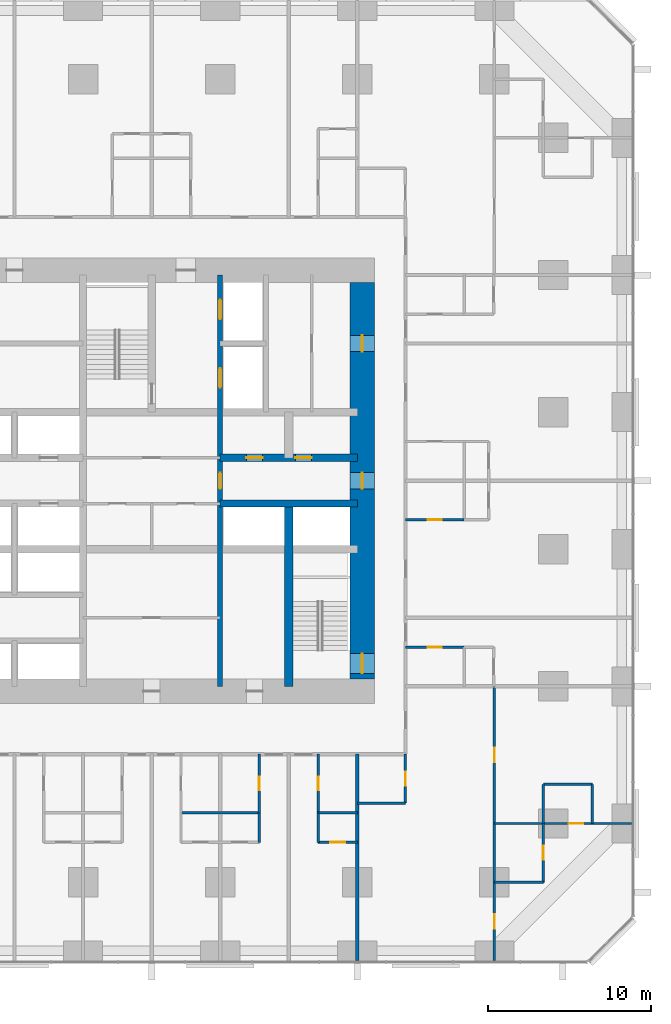
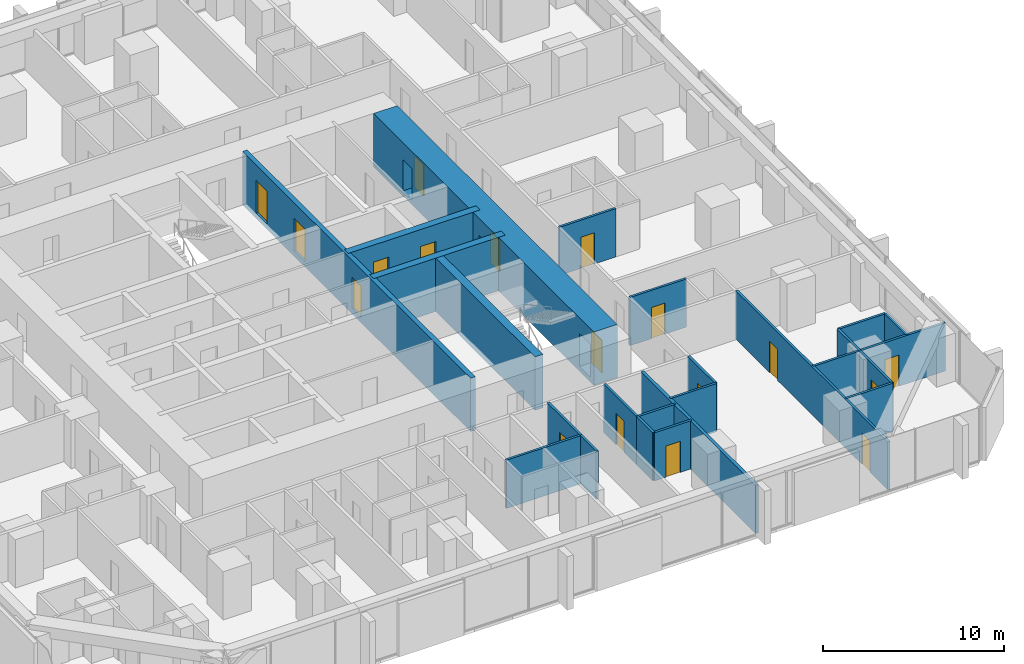
# One storey, part 13 of 17: 24 walls, 18 doors, 18 openings.
"""IFC4 building model written with IfcOpenShell, lengths in metres."""

from ifc_helpers import new_model, si_unit, direction, frame, frame_2d, origin, place, context, subcontext, project, spatial, rectangle, extrude, material, layer, layer_set, type_object, element, fill, save


model = new_model("IFC4")

# Units and contexts
model_context = context("Model", 3, precision=1e-05, world=origin(), true_north=direction((0.0, 1.0)))
body_context = subcontext(model_context, "Body", "Model", "MODEL_VIEW")
ifc_project = project(units=[si_unit("LENGTHUNIT", "METRE"), si_unit("AREAUNIT", "SQUARE_METRE"), si_unit("VOLUMEUNIT", "CUBIC_METRE"), si_unit("PLANEANGLEUNIT", "RADIAN"), si_unit("MASSUNIT", "GRAM", prefix="KILO")], contexts=[model_context])

# Site, building, storey
site_placement = place(None, origin())
site = spatial("IfcSite", under=ifc_project, at=site_placement, CompositionType="ELEMENT")
building_placement = place(site_placement, origin())
building = spatial("IfcBuilding", under=site, at=building_placement, Name="Dunama Terrace Hotel", CompositionType="ELEMENT")
storey_placement = place(building_placement, frame((0.0, 0.0, 73.800048828125)))
storey = spatial("IfcBuildingStorey", under=building, at=storey_placement, Name="L18", CompositionType="ELEMENT", Elevation=73.800048828125)

# Wall, opening, door
ifc_material_1 = material(Name="Gypsum board partition", Category="masonry")
ifc_layer_1 = layer(ifc_material_1, 0.14990234375)
ifc_layer_set_1 = layer_set([ifc_layer_1], Name="Bathroom partition 150")
wall_type_1 = type_object("IfcWallType", Name="Bathroom partition 150", PredefinedType="PARTITIONING", material=ifc_layer_set_1)
wall_1_placement = place(storey_placement, frame((36.0, 9.050048828125, 0.0), z_axis=(0.0, 0.0, 1.0), x_axis=(0.0, 1.0, 0.0)))
wall_1 = element("IfcWall", 1, at=wall_1_placement, inside=storey, type_object=wall_type_1, Name="Bathroom partition 150 L18", PredefinedType="PARTITIONING", context=body_context, shape_type="SweptSolid", body=[
    extrude(rectangle(XDim=3.599853515625, YDim=0.14990234375, at=frame_2d((1.7998046875, 0.0))), origin(), (0.0, 0.0, 1.0), 3.25),
])
opening_1_placement = place(wall_1_placement, frame((1.375, 0.0, 0.0)))
opening_1 = element("IfcOpeningElement", 2, at=opening_1_placement, cuts=wall_1, Name="Opening L17-19-022", PredefinedType="OPENING", context=body_context, shape_type="SweptSolid", body=[
    extrude(rectangle(XDim=0.85009765625, YDim=2.10009765625, at=frame_2d((0.425048828125, 1.050048828125))), frame((0.0, 0.0849609375, 0.0), z_axis=(0.0, -1.0, 0.0), x_axis=(1.0, 0.0, 0.0)), (0.0, 0.0, 1.0), 0.169921875),
])
ifc_material_2 = material(Name="Timber door with steel frame", Category="steel")
door_type_1 = type_object("IfcDoorType", Name="Bathroom door 850", OperationType="SINGLE_SWING_LEFT", PredefinedType="DOOR", material=ifc_material_2)
door_1_placement = place(opening_1_placement, origin())
door_1 = element("IfcDoor", 3, at=door_1_placement, inside=storey, type_object=door_type_1, Name="Door to en-suite bathroom L17-19-022, type D2", OperationType="SINGLE_SWING_RIGHT", OverallHeight=2.10009765625, OverallWidth=0.85009765625, PredefinedType="DOOR", context=body_context, shape_type="SweptSolid", body=[
    extrude(rectangle(XDim=0.85009765625, YDim=2.10009765625, at=frame_2d((0.425048828125, 1.050048828125))), frame((0.0, 0.02490234375, 0.0), z_axis=(0.0, -1.0, 0.0), x_axis=(1.0, 0.0, 0.0)), (0.0, 0.0, 1.0), 0.050048828125),
])
fill(opening_1, door_1)

wall_2_placement = place(storey_placement, frame((39.60009765625, 9.050048828125, 0.0), z_axis=(0.0, 0.0, 1.0), x_axis=(0.0, 1.0, 0.0)))
wall_2 = element("IfcWall", 4, at=wall_2_placement, inside=storey, type_object=wall_type_1, Name="Bathroom partition 150 L18", PredefinedType="PARTITIONING", context=body_context, shape_type="SweptSolid", body=[
    extrude(rectangle(XDim=3.599853515625, YDim=0.14990234375, at=frame_2d((1.7998046875, 0.0))), origin(), (0.0, 0.0, 1.0), 3.25),
])
opening_2_placement = place(wall_2_placement, frame((1.375, 0.0, 0.0)))
opening_2 = element("IfcOpeningElement", 5, at=opening_2_placement, cuts=wall_2, Name="Opening L17-19-025", PredefinedType="OPENING", context=body_context, shape_type="SweptSolid", body=[
    extrude(rectangle(XDim=0.85009765625, YDim=2.10009765625, at=frame_2d((0.425048828125, 1.050048828125))), frame((0.0, 0.0849609375, 0.0), z_axis=(0.0, -1.0, 0.0), x_axis=(1.0, 0.0, 0.0)), (0.0, 0.0, 1.0), 0.169921875),
])
door_2_placement = place(opening_2_placement, frame((0.85009765625, 0.0, 0.0), z_axis=(0.0, 0.0, 1.0), x_axis=(-1.0, 0.0, 0.0)))
door_2 = element("IfcDoor", 6, at=door_2_placement, inside=storey, type_object=door_type_1, Name="Door to en-suite bathroom L17-19-025, type D2", OperationType="SINGLE_SWING_LEFT", OverallHeight=2.10009765625, OverallWidth=0.85009765625, PredefinedType="DOOR", context=body_context, shape_type="SweptSolid", body=[
    extrude(rectangle(XDim=0.85009765625, YDim=2.10009765625, at=frame_2d((0.425048828125, 1.050048828125))), frame((0.0, 0.025146484375, 0.0), z_axis=(0.0, -1.0, 0.0), x_axis=(1.0, 0.0, 0.0)), (0.0, 0.0, 1.0), 0.050048828125),
])
fill(opening_2, door_2)

wall_3_placement = place(storey_placement, frame((44.949951171875, 9.64990234375, 0.0), z_axis=(0.0, 0.0, 1.0), x_axis=(0.0, 1.0, 0.0)))
wall_3 = element("IfcWall", 7, at=wall_3_placement, inside=storey, type_object=wall_type_1, Name="Bathroom partition 150 L18", PredefinedType="PARTITIONING", context=body_context, shape_type="SweptSolid", body=[
    extrude(rectangle(XDim=3.0, YDim=0.14990234375, at=frame_2d((1.5, 0.0))), origin(), (0.0, 0.0, 1.0), 3.25),
])
opening_3_placement = place(wall_3_placement, frame((1.074951171875, 0.0, 0.0)))
opening_3 = element("IfcOpeningElement", 8, at=opening_3_placement, cuts=wall_3, Name="Opening L17-19-067", PredefinedType="OPENING", context=body_context, shape_type="SweptSolid", body=[
    extrude(rectangle(XDim=0.85009765625, YDim=2.10009765625, at=frame_2d((0.425048828125, 1.050048828125))), frame((0.0, 0.0849609375, 0.0), z_axis=(0.0, -1.0, 0.0), x_axis=(1.0, 0.0, 0.0)), (0.0, 0.0, 1.0), 0.169921875),
])
door_3_placement = place(opening_3_placement, origin())
door_3 = element("IfcDoor", 9, at=door_3_placement, inside=storey, type_object=door_type_1, Name="Door to powder room L17-19-067, type D2", OperationType="SINGLE_SWING_RIGHT", OverallHeight=2.10009765625, OverallWidth=0.85009765625, PredefinedType="DOOR", context=body_context, shape_type="SweptSolid", body=[
    extrude(rectangle(XDim=0.85009765625, YDim=2.10009765625, at=frame_2d((0.425048828125, 1.050048828125))), frame((0.0, 0.02490234375, 0.0), z_axis=(0.0, -1.0, 0.0), x_axis=(1.0, 0.0, 0.0)), (0.0, 0.0, 1.0), 0.050048828125),
])
fill(opening_3, door_3)

wall_4_placement = place(storey_placement, frame((53.39990234375, 4.800048828125, 0.0), z_axis=(0.0, 0.0, 1.0), x_axis=(0.0, 1.0, 0.0)))
wall_4 = element("IfcWall", 10, at=wall_4_placement, inside=storey, type_object=wall_type_1, Name="Bathroom partition 150 L18", PredefinedType="PARTITIONING", context=body_context, shape_type="SweptSolid", body=[
    extrude(rectangle(XDim=3.599853515625, YDim=0.14990234375, at=frame_2d((1.7998046875, 0.0))), origin(), (0.0, 0.0, 1.0), 3.25),
])
opening_4_placement = place(wall_4_placement, frame((1.375, 0.0, 0.0)))
opening_4 = element("IfcOpeningElement", 11, at=opening_4_placement, cuts=wall_4, Name="Opening L17-19-069", PredefinedType="OPENING", context=body_context, shape_type="SweptSolid", body=[
    extrude(rectangle(XDim=0.85009765625, YDim=2.10009765625, at=frame_2d((0.425048828125, 1.050048828125))), frame((0.0, 0.0849609375, 0.0), z_axis=(0.0, -1.0, 0.0), x_axis=(1.0, 0.0, 0.0)), (0.0, 0.0, 1.0), 0.169921875),
])
door_4_placement = place(opening_4_placement, origin())
door_4 = element("IfcDoor", 12, at=door_4_placement, inside=storey, type_object=door_type_1, Name="Door to en-suite bathroom L17-19-069, type D2", OperationType="SINGLE_SWING_RIGHT", OverallHeight=2.10009765625, OverallWidth=0.85009765625, PredefinedType="DOOR", context=body_context, shape_type="SweptSolid", body=[
    extrude(rectangle(XDim=0.85009765625, YDim=2.10009765625, at=frame_2d((0.425048828125, 1.050048828125))), frame((0.0, 0.02490234375, 0.0), z_axis=(0.0, -1.0, 0.0), x_axis=(1.0, 0.0, 0.0)), (0.0, 0.0, 1.0), 0.050048828125),
])
fill(opening_4, door_4)

# Walls
wall_5_placement = place(storey_placement, frame((50.39990234375, 4.800048828125, 0.0), z_axis=(0.0, 0.0, 1.0), x_axis=(1.0, 0.0, 0.0)))
element("IfcWall", 13, at=wall_5_placement, inside=storey, type_object=wall_type_1, Name="Bathroom partition 150 L18", PredefinedType="PARTITIONING", context=body_context, shape_type="SweptSolid", body=[
    extrude(rectangle(XDim=3.0, YDim=0.14990234375, at=frame_2d((1.5, 0.0))), origin(), (0.0, 0.0, 1.0), 3.25),
])
wall_6_placement = place(storey_placement, frame((42.0, 9.64990234375, 0.0), z_axis=(0.0, 0.0, 1.0), x_axis=(1.0, 0.0, 0.0)))
element("IfcWall", 14, at=wall_6_placement, inside=storey, type_object=wall_type_1, Name="Bathroom partition 150 L18", PredefinedType="PARTITIONING", context=body_context, shape_type="SweptSolid", body=[
    extrude(rectangle(XDim=2.949951171875, YDim=0.14990234375, at=frame_2d((1.47509765625, 0.0))), origin(), (0.0, 0.0, 1.0), 3.25),
])

# Wall, opening, door
wall_7_placement = place(storey_placement, frame((44.949951171875, 19.199951171875, 0.0), z_axis=(0.0, 0.0, 1.0), x_axis=(1.0, 0.0, 0.0)))
wall_7 = element("IfcWall", 15, at=wall_7_placement, inside=storey, type_object=wall_type_1, Name="Bathroom partition 150 L18", PredefinedType="PARTITIONING", context=body_context, shape_type="SweptSolid", body=[
    extrude(rectangle(XDim=3.60009765625, YDim=0.14990234375, at=frame_2d((1.800048828125, 0.0))), origin(), (0.0, 0.0, 1.0), 3.25),
])
opening_5_placement = place(wall_7_placement, frame((1.375, 0.0, 0.0)))
opening_5 = element("IfcOpeningElement", 16, at=opening_5_placement, cuts=wall_7, Name="Opening L17-19-028", PredefinedType="OPENING", context=body_context, shape_type="SweptSolid", body=[
    extrude(rectangle(XDim=0.85009765625, YDim=2.10009765625, at=frame_2d((0.425048828125, 1.050048828125))), frame((0.0, 0.0849609375, 0.0), z_axis=(0.0, -1.0, 0.0), x_axis=(1.0, 0.0, 0.0)), (0.0, 0.0, 1.0), 0.169921875),
])
door_5_placement = place(opening_5_placement, frame((0.85009765625, 0.0, 0.0), z_axis=(0.0, 0.0, 1.0), x_axis=(-1.0, 0.0, 0.0)))
door_5 = element("IfcDoor", 17, at=door_5_placement, inside=storey, type_object=door_type_1, Name="Door to en-suite bathroom L17-19-028, type D2", OperationType="SINGLE_SWING_RIGHT", OverallHeight=2.10009765625, OverallWidth=0.85009765625, PredefinedType="DOOR", context=body_context, shape_type="SweptSolid", body=[
    extrude(rectangle(XDim=0.85009765625, YDim=2.10009765625, at=frame_2d((0.425048828125, 1.050048828125))), frame((0.0, 0.025146484375, 0.0), z_axis=(0.0, -1.0, 0.0), x_axis=(1.0, 0.0, 0.0)), (0.0, 0.0, 1.0), 0.050048828125),
])
fill(opening_5, door_5)

wall_8_placement = place(storey_placement, frame((44.949951171875, 27.0, 0.0), z_axis=(0.0, 0.0, 1.0), x_axis=(1.0, 0.0, 0.0)))
wall_8 = element("IfcWall", 18, at=wall_8_placement, inside=storey, type_object=wall_type_1, Name="Bathroom partition 150 L18", PredefinedType="PARTITIONING", context=body_context, shape_type="SweptSolid", body=[
    extrude(rectangle(XDim=3.60009765625, YDim=0.14990234375, at=frame_2d((1.800048828125, 0.0))), origin(), (0.0, 0.0, 1.0), 3.25),
])
opening_6_placement = place(wall_8_placement, frame((1.375, 0.0, 0.0)))
opening_6 = element("IfcOpeningElement", 19, at=opening_6_placement, cuts=wall_8, Name="Opening L17-19-031", PredefinedType="OPENING", context=body_context, shape_type="SweptSolid", body=[
    extrude(rectangle(XDim=0.85009765625, YDim=2.10009765625, at=frame_2d((0.425048828125, 1.050048828125))), frame((0.0, 0.0849609375, 0.0), z_axis=(0.0, -1.0, 0.0), x_axis=(1.0, 0.0, 0.0)), (0.0, 0.0, 1.0), 0.169921875),
])
door_6_placement = place(opening_6_placement, origin())
door_6 = element("IfcDoor", 20, at=door_6_placement, inside=storey, type_object=door_type_1, Name="Door to en-suite bathroom L17-19-031, type D2", OperationType="SINGLE_SWING_LEFT", OverallHeight=2.10009765625, OverallWidth=0.85009765625, PredefinedType="DOOR", context=body_context, shape_type="SweptSolid", body=[
    extrude(rectangle(XDim=0.85009765625, YDim=2.10009765625, at=frame_2d((0.425048828125, 1.050048828125))), frame((0.0, 0.02490234375, 0.0), z_axis=(0.0, -1.0, 0.0), x_axis=(1.0, 0.0, 0.0)), (0.0, 0.0, 1.0), 0.050048828125),
])
fill(opening_6, door_6)

# Wall, openings, doors
ifc_material_3 = material(Name="Concrete C50/60", Category="concrete")
ifc_layer_2 = layer(ifc_material_3, 0.300048828125)
ifc_layer_set_2 = layer_set([ifc_layer_2], Name="Core inner wall 300")
wall_type_2 = type_object("IfcWallType", Name="Core inner wall 300", PredefinedType="SHEAR", material=ifc_layer_set_2)
wall_9_placement = place(storey_placement, frame((33.60009765625, 16.800048828125, -0.35009765625), z_axis=(0.0, 0.0, 1.0), x_axis=(0.0, 1.0, 0.0)))
wall_9 = element("IfcWall", 21, at=wall_9_placement, inside=storey, type_object=wall_type_2, Name="Core inner wall 300 L18", PredefinedType="SHEAR", context=body_context, shape_type="SweptSolid", body=[
    extrude(rectangle(XDim=25.199951171875, YDim=0.300048828125, at=frame_2d((12.60009765625, 0.0))), origin(), (0.0, 0.0, 1.0), 3.60009765625),
])
opening_7_placement = place(wall_9_placement, frame((22.5, 0.0, 0.35009765625)))
opening_7 = element("IfcOpeningElement", 22, at=opening_7_placement, cuts=wall_9, Name="Opening L17-19-007", PredefinedType="OPENING", context=body_context, shape_type="SweptSolid", body=[
    extrude(rectangle(XDim=1.199951171875, YDim=2.199951171875, at=frame_2d((0.60009765625, 1.10009765625))), frame((0.0, 0.159912109375, 0.0), z_axis=(0.0, -1.0, 0.0), x_axis=(1.0, 0.0, 0.0)), (0.0, 0.0, 1.0), 0.320068359375),
])
opening_8_placement = place(wall_9_placement, frame((18.300048828125, 0.0, 0.35009765625)))
opening_8 = element("IfcOpeningElement", 23, at=opening_8_placement, cuts=wall_9, Name="Opening L17-19-008", PredefinedType="OPENING", context=body_context, shape_type="SweptSolid", body=[
    extrude(rectangle(XDim=1.199951171875, YDim=2.199951171875, at=frame_2d((0.60009765625, 1.10009765625))), frame((0.0, 0.159912109375, 0.0), z_axis=(0.0, -1.0, 0.0), x_axis=(1.0, 0.0, 0.0)), (0.0, 0.0, 1.0), 0.320068359375),
])
opening_9_placement = place(wall_9_placement, frame((12.10009765625, 0.0, 0.35009765625)))
opening_9 = element("IfcOpeningElement", 24, at=opening_9_placement, cuts=wall_9, Name="Opening L17-19-088", PredefinedType="OPENING", context=body_context, shape_type="SweptSolid", body=[
    extrude(rectangle(XDim=1.0, YDim=2.10009765625, at=frame_2d((0.5, 1.050048828125))), frame((0.0, 0.159912109375, 0.0), z_axis=(0.0, -1.0, 0.0), x_axis=(1.0, 0.0, 0.0)), (0.0, 0.0, 1.0), 0.320068359375),
])
ifc_material_4 = material(Name="Stainless steel lift door", Category="steel")
door_type_2 = type_object("IfcDoorType", Name="Firefighting lift landing door 1200", OperationType="DOUBLE_DOOR_SLIDING", PredefinedType="DOOR", material=ifc_material_4)
door_7_placement = place(opening_7_placement, origin())
door_7 = element("IfcDoor", 25, at=door_7_placement, inside=storey, type_object=door_type_2, Name="Landing door FL1 L17-19-007, type LD2", OperationType="DOUBLE_DOOR_SLIDING", OverallHeight=2.199951171875, OverallWidth=1.199951171875, PredefinedType="DOOR", context=body_context, shape_type="SweptSolid", body=[
    extrude(rectangle(XDim=1.199951171875, YDim=2.199951171875, at=frame_2d((0.60009765625, 1.10009765625))), frame((0.0, 0.02490234375, 0.0), z_axis=(0.0, -1.0, 0.0), x_axis=(1.0, 0.0, 0.0)), (0.0, 0.0, 1.0), 0.050048828125),
])
fill(opening_7, door_7)
door_8_placement = place(opening_8_placement, origin())
door_8 = element("IfcDoor", 26, at=door_8_placement, inside=storey, type_object=door_type_2, Name="Landing door FL2 L17-19-008, type LD2", OperationType="DOUBLE_DOOR_SLIDING", OverallHeight=2.199951171875, OverallWidth=1.199951171875, PredefinedType="DOOR", context=body_context, shape_type="SweptSolid", body=[
    extrude(rectangle(XDim=1.199951171875, YDim=2.199951171875, at=frame_2d((0.60009765625, 1.10009765625))), frame((0.0, 0.02490234375, 0.0), z_axis=(0.0, -1.0, 0.0), x_axis=(1.0, 0.0, 0.0)), (0.0, 0.0, 1.0), 0.050048828125),
])
fill(opening_8, door_8)
ifc_material_5 = material(Name="Timber door with steel frame", Category="steel")
door_type_3 = type_object("IfcDoorType", Name="Service door 1000", OperationType="SINGLE_SWING_LEFT", PredefinedType="DOOR", material=ifc_material_5)
door_9_placement = place(opening_9_placement, origin())
door_9 = element("IfcDoor", 27, at=door_9_placement, inside=storey, type_object=door_type_3, Name="Door to staff passage L17-19-088, type D7", OperationType="SINGLE_SWING_LEFT", OverallHeight=2.10009765625, OverallWidth=1.0, PredefinedType="DOOR", context=body_context, shape_type="SweptSolid", body=[
    extrude(rectangle(XDim=1.0, YDim=2.10009765625, at=frame_2d((0.5, 1.050048828125))), frame((0.0, 0.02490234375, 0.0), z_axis=(0.0, -1.0, 0.0), x_axis=(1.0, 0.0, 0.0)), (0.0, 0.0, 1.0), 0.050048828125),
])
fill(opening_9, door_9)

# Wall
ifc_material_6 = material(Name="Concrete C50/60", Category="concrete")
ifc_layer_3 = layer(ifc_material_6, 0.449951171875)
ifc_layer_set_3 = layer_set([ifc_layer_3], Name="Core inner wall 450")
wall_type_3 = type_object("IfcWallType", Name="Core inner wall 450", PredefinedType="SHEAR", material=ifc_layer_set_3)
wall_10_placement = place(storey_placement, frame((33.60009765625, 28.0, -0.35009765625), z_axis=(0.0, 0.0, 1.0), x_axis=(1.0, 0.0, 0.0)))
element("IfcWall", 28, at=wall_10_placement, inside=storey, type_object=wall_type_3, Name="Core inner wall 450 L18", PredefinedType="SHEAR", context=body_context, shape_type="SweptSolid", body=[
    extrude(rectangle(XDim=8.39990234375, YDim=0.449951171875, at=frame_2d((4.199951171875, 0.0))), origin(), (0.0, 0.0, 1.0), 3.60009765625),
])

# Wall, openings, doors
wall_11_placement = place(storey_placement, frame((33.60009765625, 30.800048828125, -0.35009765625), z_axis=(0.0, 0.0, 1.0), x_axis=(1.0, 0.0, 0.0)))
wall_11 = element("IfcWall", 29, at=wall_11_placement, inside=storey, type_object=wall_type_3, Name="Core inner wall 450 L18", PredefinedType="SHEAR", context=body_context, shape_type="SweptSolid", body=[
    extrude(rectangle(XDim=8.39990234375, YDim=0.449951171875, at=frame_2d((4.199951171875, 0.0))), origin(), (0.0, 0.0, 1.0), 3.60009765625),
])
opening_10_placement = place(wall_11_placement, frame((1.60009765625, 0.0, 0.35009765625)))
opening_10 = element("IfcOpeningElement", 30, at=opening_10_placement, cuts=wall_11, Name="Opening L17-19-092", PredefinedType="OPENING", context=body_context, shape_type="SweptSolid", body=[
    extrude(rectangle(XDim=1.0, YDim=2.10009765625, at=frame_2d((0.5, 1.050048828125))), frame((0.0, 0.23486328125, 0.0), z_axis=(0.0, -1.0, 0.0), x_axis=(1.0, 0.0, 0.0)), (0.0, 0.0, 1.0), 0.469970703125),
])
opening_11_placement = place(wall_11_placement, frame((4.60009765625, 0.0, 0.35009765625)))
opening_11 = element("IfcOpeningElement", 31, at=opening_11_placement, cuts=wall_11, Name="Opening L17-19-093", PredefinedType="OPENING", context=body_context, shape_type="SweptSolid", body=[
    extrude(rectangle(XDim=1.0, YDim=2.10009765625, at=frame_2d((0.5, 1.050048828125))), frame((0.0, 0.23486328125, 0.0), z_axis=(0.0, -1.0, 0.0), x_axis=(1.0, 0.0, 0.0)), (0.0, 0.0, 1.0), 0.469970703125),
])
door_10_placement = place(opening_10_placement, origin())
door_10 = element("IfcDoor", 32, at=door_10_placement, inside=storey, type_object=door_type_3, Name="Door to service riser L17-19-092, type D7", OperationType="SINGLE_SWING_RIGHT", OverallHeight=2.10009765625, OverallWidth=1.0, PredefinedType="DOOR", context=body_context, shape_type="SweptSolid", body=[
    extrude(rectangle(XDim=1.0, YDim=2.10009765625, at=frame_2d((0.5, 1.050048828125))), frame((0.0, 0.02490234375, 0.0), z_axis=(0.0, -1.0, 0.0), x_axis=(1.0, 0.0, 0.0)), (0.0, 0.0, 1.0), 0.050048828125),
])
fill(opening_10, door_10)
door_11_placement = place(opening_11_placement, origin())
door_11 = element("IfcDoor", 33, at=door_11_placement, inside=storey, type_object=door_type_3, Name="Door to cleaners store L17-19-093, type D7", OperationType="SINGLE_SWING_LEFT", OverallHeight=2.10009765625, OverallWidth=1.0, PredefinedType="DOOR", context=body_context, shape_type="SweptSolid", body=[
    extrude(rectangle(XDim=1.0, YDim=2.10009765625, at=frame_2d((0.5, 1.050048828125))), frame((0.0, 0.02490234375, 0.0), z_axis=(0.0, -1.0, 0.0), x_axis=(1.0, 0.0, 0.0)), (0.0, 0.0, 1.0), 0.050048828125),
])
fill(opening_11, door_11)

# Wall
ifc_material_7 = material(Name="Concrete C50/60", Category="concrete")
ifc_layer_4 = layer(ifc_material_7, 0.5)
ifc_layer_set_4 = layer_set([ifc_layer_4], Name="Core inner wall 500")
wall_type_4 = type_object("IfcWallType", Name="Core inner wall 500", PredefinedType="SHEAR", material=ifc_layer_set_4)
wall_12_placement = place(storey_placement, frame((37.800048828125, 16.800048828125, -0.35009765625), z_axis=(0.0, 0.0, 1.0), x_axis=(0.0, 1.0, 0.0)))
element("IfcWall", 34, at=wall_12_placement, inside=storey, type_object=wall_type_4, Name="Core inner wall 500 L18", PredefinedType="SHEAR", context=body_context, shape_type="SweptSolid", body=[
    extrude(rectangle(XDim=11.199951171875, YDim=0.5, at=frame_2d((5.60009765625, 0.0))), origin(), (0.0, 0.0, 1.0), 3.60009765625),
])

# Wall, openings, doors
ifc_material_8 = material(Name="Concrete C60/75", Category="concrete")
ifc_layer_5 = layer(ifc_material_8, 1.5)
ifc_layer_set_5 = layer_set([ifc_layer_5], Name="Core wall 1500")
wall_type_5 = type_object("IfcWallType", Name="Core wall 1500", PredefinedType="SHEAR", material=ifc_layer_set_5)
wall_13_placement = place(storey_placement, frame((42.300048828125, 17.25, -0.35009765625), z_axis=(0.0, 0.0, 1.0), x_axis=(0.0, 1.0, 0.0)))
wall_13 = element("IfcWall", 35, at=wall_13_placement, inside=storey, type_object=wall_type_5, Name="Core wall east L18", PredefinedType="SHEAR", context=body_context, shape_type="SweptSolid", body=[
    extrude(rectangle(XDim=24.300048828125, YDim=1.5, at=frame_2d((12.14990234375, 0.0))), origin(), (0.0, 0.0, 1.0), 3.60009765625),
])
opening_12_placement = place(wall_13_placement, frame((0.35009765625, 0.0, 0.35009765625)))
opening_12 = element("IfcOpeningElement", 36, at=opening_12_placement, cuts=wall_13, Name="Opening L17-19-002", PredefinedType="OPENING", context=body_context, shape_type="SweptSolid", body=[
    extrude(rectangle(XDim=1.199951171875, YDim=2.199951171875, at=frame_2d((0.60009765625, 1.10009765625))), frame((0.0, 0.760009765625, 0.0), z_axis=(0.0, -1.0, 0.0), x_axis=(1.0, 0.0, 0.0)), (0.0, 0.0, 1.0), 1.52001953125),
])
opening_13_placement = place(wall_13_placement, frame((11.64990234375, 0.0, 0.35009765625)))
opening_13 = element("IfcOpeningElement", 37, at=opening_13_placement, cuts=wall_13, Name="Opening L17-19-094", PredefinedType="OPENING", context=body_context, shape_type="SweptSolid", body=[
    extrude(rectangle(XDim=1.0, YDim=2.10009765625, at=frame_2d((0.5, 1.050048828125))), frame((0.0, 0.760009765625, 0.0), z_axis=(0.0, -1.0, 0.0), x_axis=(1.0, 0.0, 0.0)), (0.0, 0.0, 1.0), 1.52001953125),
])
opening_14_placement = place(wall_13_placement, frame((20.050048828125, 0.0, 0.35009765625)))
opening_14 = element("IfcOpeningElement", 38, at=opening_14_placement, cuts=wall_13, Name="Opening L17-19-096", PredefinedType="OPENING", context=body_context, shape_type="SweptSolid", body=[
    extrude(rectangle(XDim=1.0, YDim=2.10009765625, at=frame_2d((0.5, 1.050048828125))), frame((0.0, 0.760009765625, 0.0), z_axis=(0.0, -1.0, 0.0), x_axis=(1.0, 0.0, 0.0)), (0.0, 0.0, 1.0), 1.52001953125),
])
door_12_placement = place(opening_13_placement, origin())
door_12 = element("IfcDoor", 39, at=door_12_placement, inside=storey, type_object=door_type_3, Name="Door to service lobby L17-19-094, type D7", OperationType="SINGLE_SWING_LEFT", OverallHeight=2.10009765625, OverallWidth=1.0, PredefinedType="DOOR", context=body_context, shape_type="SweptSolid", body=[
    extrude(rectangle(XDim=1.0, YDim=2.10009765625, at=frame_2d((0.5, 1.050048828125))), frame((0.0, 0.02490234375, 0.0), z_axis=(0.0, -1.0, 0.0), x_axis=(1.0, 0.0, 0.0)), (0.0, 0.0, 1.0), 0.050048828125),
])
fill(opening_13, door_12)
door_13_placement = place(opening_14_placement, origin())
door_13 = element("IfcDoor", 40, at=door_13_placement, inside=storey, type_object=door_type_3, Name="Door to housekeeping store L17-19-096, type D7", OperationType="SINGLE_SWING_LEFT", OverallHeight=2.10009765625, OverallWidth=1.0, PredefinedType="DOOR", context=body_context, shape_type="SweptSolid", body=[
    extrude(rectangle(XDim=1.0, YDim=2.10009765625, at=frame_2d((0.5, 1.050048828125))), frame((0.0, 0.02490234375, 0.0), z_axis=(0.0, -1.0, 0.0), x_axis=(1.0, 0.0, 0.0)), (0.0, 0.0, 1.0), 0.050048828125),
])
fill(opening_14, door_13)
ifc_material_9 = material(Name="Timber door with steel frame", Category="steel")
door_type_4 = type_object("IfcDoorType", Name="Stair door 1200", OperationType="SINGLE_SWING_LEFT", PredefinedType="DOOR", material=ifc_material_9)
door_14_placement = place(opening_12_placement, origin())
door_14 = element("IfcDoor", 41, at=door_14_placement, inside=storey, type_object=door_type_4, Name="Stair door ST2 L17-19-002, type D5", OperationType="SINGLE_SWING_LEFT", OverallHeight=2.199951171875, OverallWidth=1.199951171875, PredefinedType="DOOR", context=body_context, shape_type="SweptSolid", body=[
    extrude(rectangle(XDim=1.199951171875, YDim=2.199951171875, at=frame_2d((0.60009765625, 1.10009765625))), frame((0.0, 0.02490234375, 0.0), z_axis=(0.0, -1.0, 0.0), x_axis=(1.0, 0.0, 0.0)), (0.0, 0.0, 1.0), 0.050048828125),
])
fill(opening_12, door_14)

# Walls
ifc_material_10 = material(Name="Concrete blockwork", Category="masonry")
ifc_layer_6 = layer(ifc_material_10, 0.199951171875)
ifc_layer_set_6 = layer_set([ifc_layer_6], Name="Party wall 200")
wall_type_6 = type_object("IfcWallType", Name="Party wall 200", PredefinedType="PARTITIONING", material=ifc_layer_set_6)
wall_14_placement = place(storey_placement, frame((42.0, -0.008056640625, 0.0), z_axis=(0.0, 0.0, 1.0), x_axis=(0.0, 1.0, 0.0)))
element("IfcWall", 42, at=wall_14_placement, inside=storey, type_object=wall_type_6, Name="Party wall 200 L18", PredefinedType="PARTITIONING", context=body_context, shape_type="SweptSolid", body=[
    extrude(rectangle(XDim=12.657958984375, YDim=0.199951171875, at=frame_2d((6.3291015625, 0.0))), origin(), (0.0, 0.0, 1.0), 3.25),
])
ifc_material_11 = material(Name="Gypsum board partition", Category="masonry")
ifc_layer_7 = layer(ifc_material_11, 0.14990234375)
ifc_layer_set_7 = layer_set([ifc_layer_7], Name="Room partition 150")
wall_type_7 = type_object("IfcWallType", Name="Room partition 150", PredefinedType="PARTITIONING", material=ifc_layer_set_7)
for number, where, z_axis, x_axis, name in (
    (43, (36.0, 7.25, 0.0), (0.0, 0.0, 1.0), (0.0, 1.0, 0.0), "Room partition 150 L18"),
    (44, (39.60009765625, 7.25, 0.0), (0.0, 0.0, 1.0), (0.0, 1.0, 0.0), "Room partition 150 L18"),
):
    element("IfcWall", number, at=place(storey_placement, frame(where, z_axis=z_axis, x_axis=x_axis)), inside=storey, type_object=wall_type_7, Name=name, PredefinedType="PARTITIONING", context=body_context, shape_type="SweptSolid", body=[
        extrude(rectangle(XDim=1.800048828125, YDim=0.14990234375, at=frame_2d((0.89990234375, 0.0))), origin(), (0.0, 0.0, 1.0), 3.25),
    ])

# Wall, openings, doors
wall_15_placement = place(storey_placement, frame((50.39990234375, -0.008056640625, 0.0), z_axis=(0.0, 0.0, 1.0), x_axis=(0.0, 1.0, 0.0)))
wall_15 = element("IfcWall", 45, at=wall_15_placement, inside=storey, type_object=wall_type_7, Name="Room partition 150 L18", PredefinedType="PARTITIONING", context=body_context, shape_type="SweptSolid", body=[
    extrude(rectangle(XDim=16.80810546875, YDim=0.14990234375, at=frame_2d((8.404052734375, 0.0))), origin(), (0.0, 0.0, 1.0), 3.25),
])
opening_15_placement = place(wall_15_placement, frame((1.9580078125, 0.0, 0.0)))
opening_15 = element("IfcOpeningElement", 46, at=opening_15_placement, cuts=wall_15, Name="Opening L17-19-068", PredefinedType="OPENING", context=body_context, shape_type="SweptSolid", body=[
    extrude(rectangle(XDim=0.89990234375, YDim=2.10009765625, at=frame_2d((0.449951171875, 1.050048828125))), frame((0.0, 0.0849609375, 0.0), z_axis=(0.0, -1.0, 0.0), x_axis=(1.0, 0.0, 0.0)), (0.0, 0.0, 1.0), 0.169921875),
])
opening_16_placement = place(wall_15_placement, frame((12.157958984375, 0.0, 0.0)))
opening_16 = element("IfcOpeningElement", 47, at=opening_16_placement, cuts=wall_15, Name="Opening L17-19-071", PredefinedType="OPENING", context=body_context, shape_type="SweptSolid", body=[
    extrude(rectangle(XDim=0.89990234375, YDim=2.10009765625, at=frame_2d((0.449951171875, 1.050048828125))), frame((0.0, 0.0849609375, 0.0), z_axis=(0.0, -1.0, 0.0), x_axis=(1.0, 0.0, 0.0)), (0.0, 0.0, 1.0), 0.169921875),
])
ifc_material_12 = material(Name="Timber door with steel frame", Category="steel")
door_type_5 = type_object("IfcDoorType", Name="Suite internal door 900", OperationType="SINGLE_SWING_LEFT", PredefinedType="DOOR", material=ifc_material_12)
door_15_placement = place(opening_15_placement, frame((0.89990234375, 0.0, 0.0), z_axis=(0.0, 0.0, 1.0), x_axis=(-1.0, 0.0, 0.0)))
door_15 = element("IfcDoor", 48, at=door_15_placement, inside=storey, type_object=door_type_5, Name="Door to corner suite bedroom L17-19-068, type D16", OperationType="SINGLE_SWING_RIGHT", OverallHeight=2.10009765625, OverallWidth=0.89990234375, PredefinedType="DOOR", context=body_context, shape_type="SweptSolid", body=[
    extrude(rectangle(XDim=0.89990234375, YDim=2.10009765625, at=frame_2d((0.449951171875, 1.050048828125))), frame((0.0, 0.025146484375, 0.0), z_axis=(0.0, -1.0, 0.0), x_axis=(1.0, 0.0, 0.0)), (0.0, 0.0, 1.0), 0.050048828125),
])
fill(opening_15, door_15)
door_16_placement = place(opening_16_placement, frame((0.89990234375, 0.0, 0.0), z_axis=(0.0, 0.0, 1.0), x_axis=(-1.0, 0.0, 0.0)))
door_16 = element("IfcDoor", 49, at=door_16_placement, inside=storey, type_object=door_type_5, Name="Door to corner suite study L17-19-071, type D16", OperationType="SINGLE_SWING_RIGHT", OverallHeight=2.10009765625, OverallWidth=0.89990234375, PredefinedType="DOOR", context=body_context, shape_type="SweptSolid", body=[
    extrude(rectangle(XDim=0.89990234375, YDim=2.10009765625, at=frame_2d((0.449951171875, 1.050048828125))), frame((0.0, 0.025146484375, 0.0), z_axis=(0.0, -1.0, 0.0), x_axis=(1.0, 0.0, 0.0)), (0.0, 0.0, 1.0), 0.050048828125),
])
fill(opening_16, door_16)

# Walls
for number, where, z_axis, x_axis, name in (
    (50, (53.39990234375, 8.39990234375, 0.0), (0.0, 0.0, 1.0), (0.0, 1.0, 0.0), "Room partition 150 L18"),
    (51, (56.39990234375, 8.39990234375, 0.0), (0.0, 0.0, 1.0), (0.0, 1.0, 0.0), "Room partition 150 L18"),
):
    element("IfcWall", number, at=place(storey_placement, frame(where, z_axis=z_axis, x_axis=x_axis)), inside=storey, type_object=wall_type_7, Name=name, PredefinedType="PARTITIONING", context=body_context, shape_type="SweptSolid", body=[
        extrude(rectangle(XDim=2.400146484375, YDim=0.14990234375, at=frame_2d((1.2001953125, 0.0))), origin(), (0.0, 0.0, 1.0), 3.25),
    ])

# Wall, opening, door
wall_16_placement = place(storey_placement, frame((39.60009765625, 7.25, 0.0), z_axis=(0.0, 0.0, 1.0), x_axis=(1.0, 0.0, 0.0)))
wall_16 = element("IfcWall", 52, at=wall_16_placement, inside=storey, type_object=wall_type_7, Name="Room partition 150 L18", PredefinedType="PARTITIONING", context=body_context, shape_type="SweptSolid", body=[
    extrude(rectangle(XDim=2.39990234375, YDim=0.14990234375, at=frame_2d((1.199951171875, 0.0))), origin(), (0.0, 0.0, 1.0), 3.25),
])
opening_17_placement = place(wall_16_placement, frame((0.75, 0.0, 0.0)))
opening_17 = element("IfcOpeningElement", 53, at=opening_17_placement, cuts=wall_16, Name="Opening L17-19-026", PredefinedType="OPENING", context=body_context, shape_type="SweptSolid", body=[
    extrude(rectangle(XDim=0.89990234375, YDim=2.10009765625, at=frame_2d((0.449951171875, 1.050048828125))), frame((0.0, 0.0849609375, 0.0), z_axis=(0.0, -1.0, 0.0), x_axis=(1.0, 0.0, 0.0)), (0.0, 0.0, 1.0), 0.169921875),
])
door_17_placement = place(opening_17_placement, origin())
door_17 = element("IfcDoor", 54, at=door_17_placement, inside=storey, type_object=door_type_5, Name="Door to walk-in wardrobe L17-19-026, type D16", OperationType="SINGLE_SWING_RIGHT", OverallHeight=2.10009765625, OverallWidth=0.89990234375, PredefinedType="DOOR", context=body_context, shape_type="SweptSolid", body=[
    extrude(rectangle(XDim=0.89990234375, YDim=2.10009765625, at=frame_2d((0.449951171875, 1.050048828125))), frame((0.0, 0.02490234375, 0.0), z_axis=(0.0, -1.0, 0.0), x_axis=(1.0, 0.0, 0.0)), (0.0, 0.0, 1.0), 0.050048828125),
])
fill(opening_17, door_17)

wall_17_placement = place(storey_placement, frame((50.39990234375, 8.39990234375, 0.0), z_axis=(0.0, 0.0, 1.0), x_axis=(1.0, 0.0, 0.0)))
wall_17 = element("IfcWall", 55, at=wall_17_placement, inside=storey, type_object=wall_type_7, Name="Room partition 150 L18", PredefinedType="PARTITIONING", context=body_context, shape_type="SweptSolid", body=[
    extrude(rectangle(XDim=8.408203125, YDim=0.14990234375, at=frame_2d((4.2041015625, 0.0))), origin(), (0.0, 0.0, 1.0), 3.25),
])
opening_18_placement = place(wall_17_placement, frame((4.550048828125, 0.0, 0.0)))
opening_18 = element("IfcOpeningElement", 56, at=opening_18_placement, cuts=wall_17, Name="Opening L17-19-070", PredefinedType="OPENING", context=body_context, shape_type="SweptSolid", body=[
    extrude(rectangle(XDim=0.89990234375, YDim=2.10009765625, at=frame_2d((0.449951171875, 1.050048828125))), frame((0.0, 0.0849609375, 0.0), z_axis=(0.0, -1.0, 0.0), x_axis=(1.0, 0.0, 0.0)), (0.0, 0.0, 1.0), 0.169921875),
])
door_18_placement = place(opening_18_placement, origin())
door_18 = element("IfcDoor", 57, at=door_18_placement, inside=storey, type_object=door_type_5, Name="Door to dressing room L17-19-070, type D16", OperationType="SINGLE_SWING_LEFT", OverallHeight=2.10009765625, OverallWidth=0.89990234375, PredefinedType="DOOR", context=body_context, shape_type="SweptSolid", body=[
    extrude(rectangle(XDim=0.89990234375, YDim=2.10009765625, at=frame_2d((0.449951171875, 1.050048828125))), frame((0.0, 0.02490234375, 0.0), z_axis=(0.0, -1.0, 0.0), x_axis=(1.0, 0.0, 0.0)), (0.0, 0.0, 1.0), 0.050048828125),
])
fill(opening_18, door_18)

# Walls
wall_18_placement = place(storey_placement, frame((31.199951171875, 9.050048828125, 0.0), z_axis=(0.0, 0.0, 1.0), x_axis=(1.0, 0.0, 0.0)))
element("IfcWall", 58, at=wall_18_placement, inside=storey, type_object=wall_type_7, Name="Room partition 150 L18", PredefinedType="PARTITIONING", context=body_context, shape_type="SweptSolid", body=[
    extrude(rectangle(XDim=4.800048828125, YDim=0.14990234375, at=frame_2d((2.39990234375, 0.0))), origin(), (0.0, 0.0, 1.0), 3.25),
])
wall_19_placement = place(storey_placement, frame((39.60009765625, 9.050048828125, 0.0), z_axis=(0.0, 0.0, 1.0), x_axis=(1.0, 0.0, 0.0)))
element("IfcWall", 59, at=wall_19_placement, inside=storey, type_object=wall_type_7, Name="Room partition 150 L18", PredefinedType="PARTITIONING", context=body_context, shape_type="SweptSolid", body=[
    extrude(rectangle(XDim=2.39990234375, YDim=0.14990234375, at=frame_2d((1.199951171875, 0.0))), origin(), (0.0, 0.0, 1.0), 3.25),
])
wall_20_placement = place(storey_placement, frame((53.39990234375, 10.800048828125, 0.0), z_axis=(0.0, 0.0, 1.0), x_axis=(1.0, 0.0, 0.0)))
element("IfcWall", 60, at=wall_20_placement, inside=storey, type_object=wall_type_7, Name="Room partition 150 L18", PredefinedType="PARTITIONING", context=body_context, shape_type="SweptSolid", body=[
    extrude(rectangle(XDim=3.0, YDim=0.14990234375, at=frame_2d((1.5, 0.0))), origin(), (0.0, 0.0, 1.0), 3.25),
])

save(model, "model.ifc")
